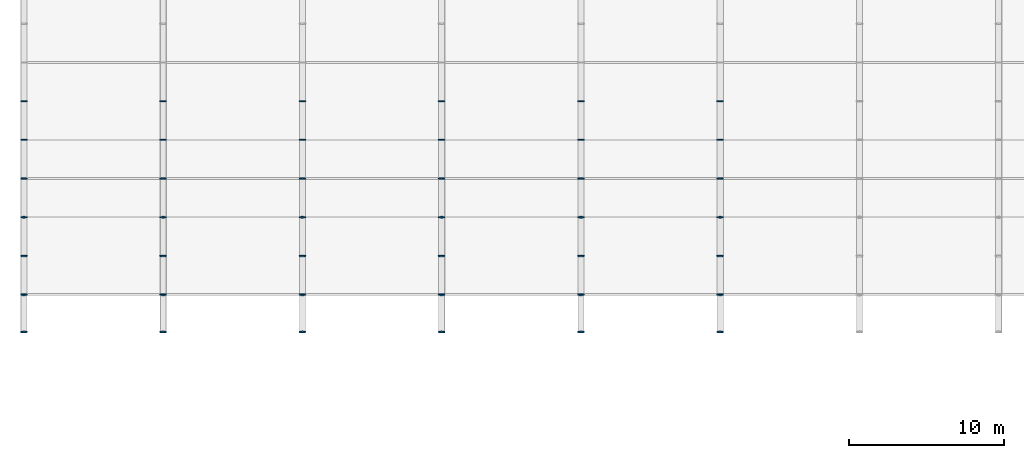
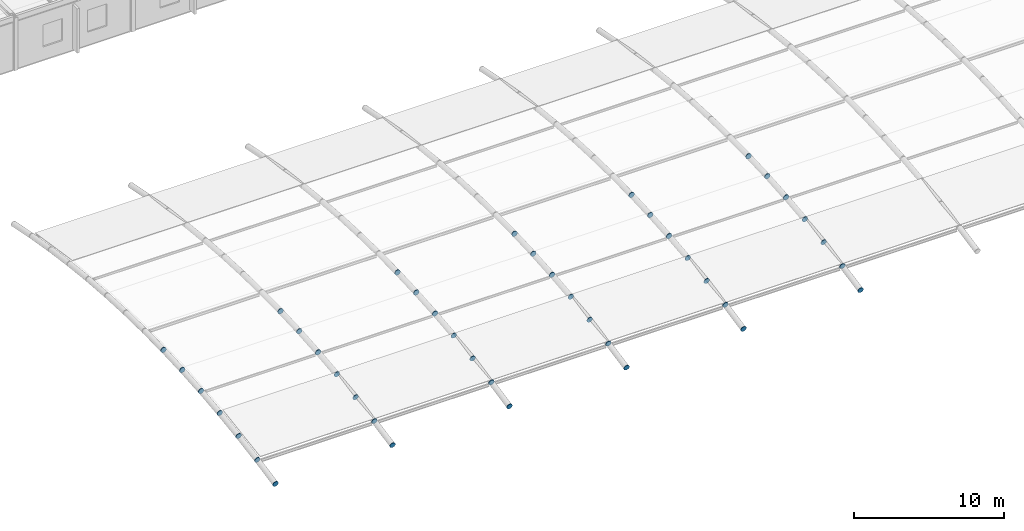
# One storey, part 64 of 105: 78 discrete accessories.
"""IFC4 building model written with IfcOpenShell, lengths in metres."""

from ifc_helpers import new_model, si_unit, direction, frame, origin, origin_2d, place, context, subcontext, project, spatial, circle, extrude, material, element, save


model = new_model("IFC4")

# Units and contexts
model_context = context("Model", 3, precision=1e-05, world=origin(), true_north=direction((0.0, 1.0)))
body_context = subcontext(model_context, "Body", "Model", "MODEL_VIEW")
ifc_project = project(units=[si_unit("LENGTHUNIT", "METRE"), si_unit("AREAUNIT", "SQUARE_METRE"), si_unit("VOLUMEUNIT", "CUBIC_METRE"), si_unit("PLANEANGLEUNIT", "RADIAN"), si_unit("MASSUNIT", "GRAM", prefix="KILO")], contexts=[model_context])

# Site, building, storey
site_placement = place(None, origin())
site = spatial("IfcSite", under=ifc_project, at=site_placement, CompositionType="ELEMENT")
building_placement = place(site_placement, origin())
building = spatial("IfcBuilding", under=site, at=building_placement, Name="Marlcrest Central Station", CompositionType="ELEMENT")
storey_placement = place(building_placement, frame((0.0, 0.0, 15.0)))
storey = spatial("IfcBuildingStorey", under=building, at=storey_placement, Name="L03", CompositionType="ELEMENT", Elevation=15.0)

# Discrete accessories
ifc_material = material(Name="Steel S355", Category="steel")
for number, where, z_axis, x_axis, name in (
    (1, (0.0, 48.5654296875, -0.0859375), (0.0, 0.980359417961, 0.197219196874), (-1.0, 0.0, 0.0), "endcap-mem-AC-01-L03-00083-s"),
    (2, (0.0, 50.9755859375, 0.39892578125), (0.0, 0.980359417961, 0.197219196874), (-1.0, 0.0, 0.0), "endcap-mem-AC-01-L03-00083-e"),
    (3, (0.0, 50.985107421875, 0.4013671875), (0.0, 0.98574109921, 0.168269086076), (-1.0, 0.0, 0.0), "endcap-mem-AC-01-L03-00087-s"),
    (4, (0.0, 53.475341796875, 0.826416015625), (0.0, 0.98574109921, 0.168269086076), (-1.0, 0.0, 0.0), "endcap-mem-AC-01-L03-00087-e"),
    (5, (0.0, 53.485107421875, 0.82861328125), (0.0, 0.990402740232, 0.138211476152), (-1.0, 0.0, 0.0), "endcap-mem-AC-01-L03-00091-s"),
    (6, (0.0, 55.975341796875, 1.176025390625), (0.0, 0.990402740232, 0.138211476152), (-1.0, 0.0, 0.0), "endcap-mem-AC-01-L03-00091-e"),
    (7, (0.0, 55.985107421875, 1.177734375), (0.0, 0.994155341034, 0.107959056565), (-1.0, 0.0, 0.0), "endcap-mem-AC-01-L03-00095-s"),
    (8, (0.0, 58.47509765625, 1.4482421875), (0.0, 0.994155341034, 0.107959056565), (-1.0, 0.0, 0.0), "endcap-mem-AC-01-L03-00095-e"),
    (9, (0.0, 58.485107421875, 1.44970703125), (0.0, 0.996999825732, 0.077403795064), (-1.0, 0.0, 0.0), "endcap-mem-AC-01-L03-00099-s"),
    (10, (0.0, 60.97509765625, 1.64306640625), (0.0, 0.996999825732, 0.077403795064), (-1.0, 0.0, 0.0), "endcap-mem-AC-01-L03-00099-e"),
    (11, (0.0, 60.985107421875, 1.644287109375), (0.0, 0.998921349185, 0.046434234591), (-1.0, 0.0, 0.0), "endcap-mem-AC-01-L03-00103-s"),
    (12, (0.0, 63.47509765625, 1.760009765625), (0.0, 0.998921349185, 0.046434234591), (-1.0, 0.0, 0.0), "endcap-mem-AC-01-L03-00103-e"),
    (13, (0.0, 63.485107421875, 1.760986328125), (0.0, 0.999879472592, 0.01552547228), (-1.0, 0.0, 0.0), "endcap-mem-AC-01-L03-00107-s"),
    (14, (9.0, 48.5654296875, -0.0859375), (0.0, 0.980359417961, 0.197219196874), (-1.0, 0.0, 0.0), "endcap-mem-AC-01-L03-00199-s"),
    (15, (9.0, 50.9755859375, 0.39892578125), (0.0, 0.980359417961, 0.197219196874), (-1.0, 0.0, 0.0), "endcap-mem-AC-01-L03-00199-e"),
    (16, (9.0, 50.985107421875, 0.4013671875), (0.0, 0.98574109921, 0.168269086076), (-1.0, 0.0, 0.0), "endcap-mem-AC-01-L03-00203-s"),
    (17, (9.0, 53.475341796875, 0.826416015625), (0.0, 0.98574109921, 0.168269086076), (-1.0, 0.0, 0.0), "endcap-mem-AC-01-L03-00203-e"),
    (18, (9.0, 53.485107421875, 0.82861328125), (0.0, 0.990402740232, 0.138211476152), (-1.0, 0.0, 0.0), "endcap-mem-AC-01-L03-00207-s"),
    (19, (9.0, 55.975341796875, 1.176025390625), (0.0, 0.990402740232, 0.138211476152), (-1.0, 0.0, 0.0), "endcap-mem-AC-01-L03-00207-e"),
    (20, (9.0, 55.985107421875, 1.177734375), (0.0, 0.994155341034, 0.107959056565), (-1.0, 0.0, 0.0), "endcap-mem-AC-01-L03-00211-s"),
    (21, (9.0, 58.47509765625, 1.4482421875), (0.0, 0.994155341034, 0.107959056565), (-1.0, 0.0, 0.0), "endcap-mem-AC-01-L03-00211-e"),
    (22, (9.0, 58.485107421875, 1.44970703125), (0.0, 0.996999825732, 0.077403795064), (-1.0, 0.0, 0.0), "endcap-mem-AC-01-L03-00215-s"),
    (23, (9.0, 60.97509765625, 1.64306640625), (0.0, 0.996999825732, 0.077403795064), (-1.0, 0.0, 0.0), "endcap-mem-AC-01-L03-00215-e"),
    (24, (9.0, 60.985107421875, 1.644287109375), (0.0, 0.998921349185, 0.046434234591), (-1.0, 0.0, 0.0), "endcap-mem-AC-01-L03-00219-s"),
    (25, (9.0, 63.47509765625, 1.760009765625), (0.0, 0.998921349185, 0.046434234591), (-1.0, 0.0, 0.0), "endcap-mem-AC-01-L03-00219-e"),
    (26, (9.0, 63.485107421875, 1.760986328125), (0.0, 0.999879472592, 0.01552547228), (-1.0, 0.0, 0.0), "endcap-mem-AC-01-L03-00223-s"),
    (27, (18.0, 48.5654296875, -0.0859375), (0.0, 0.980359417961, 0.197219196874), (-1.0, 0.0, 0.0), "endcap-mem-AC-01-L03-00315-s"),
    (28, (18.0, 50.9755859375, 0.39892578125), (0.0, 0.980359417961, 0.197219196874), (-1.0, 0.0, 0.0), "endcap-mem-AC-01-L03-00315-e"),
    (29, (18.0, 50.985107421875, 0.4013671875), (0.0, 0.98574109921, 0.168269086076), (-1.0, 0.0, 0.0), "endcap-mem-AC-01-L03-00319-s"),
    (30, (18.0, 53.475341796875, 0.826416015625), (0.0, 0.98574109921, 0.168269086076), (-1.0, 0.0, 0.0), "endcap-mem-AC-01-L03-00319-e"),
    (31, (18.0, 53.485107421875, 0.82861328125), (0.0, 0.990402740232, 0.138211476152), (-1.0, 0.0, 0.0), "endcap-mem-AC-01-L03-00323-s"),
    (32, (18.0, 55.975341796875, 1.176025390625), (0.0, 0.990402740232, 0.138211476152), (-1.0, 0.0, 0.0), "endcap-mem-AC-01-L03-00323-e"),
    (33, (18.0, 55.985107421875, 1.177734375), (0.0, 0.994155341034, 0.107959056565), (-1.0, 0.0, 0.0), "endcap-mem-AC-01-L03-00327-s"),
    (34, (18.0, 58.47509765625, 1.4482421875), (0.0, 0.994155341034, 0.107959056565), (-1.0, 0.0, 0.0), "endcap-mem-AC-01-L03-00327-e"),
    (35, (18.0, 58.485107421875, 1.44970703125), (0.0, 0.996999825732, 0.077403795064), (-1.0, 0.0, 0.0), "endcap-mem-AC-01-L03-00331-s"),
    (36, (18.0, 60.97509765625, 1.64306640625), (0.0, 0.996999825732, 0.077403795064), (-1.0, 0.0, 0.0), "endcap-mem-AC-01-L03-00331-e"),
    (37, (18.0, 60.985107421875, 1.644287109375), (0.0, 0.998921349185, 0.046434234591), (-1.0, 0.0, 0.0), "endcap-mem-AC-01-L03-00335-s"),
    (38, (18.0, 63.47509765625, 1.760009765625), (0.0, 0.998921349185, 0.046434234591), (-1.0, 0.0, 0.0), "endcap-mem-AC-01-L03-00335-e"),
    (39, (18.0, 63.485107421875, 1.760986328125), (0.0, 0.999879472592, 0.01552547228), (-1.0, 0.0, 0.0), "endcap-mem-AC-01-L03-00339-s"),
    (40, (27.0, 48.5654296875, -0.0859375), (0.0, 0.980359417961, 0.197219196874), (-1.0, 0.0, 0.0), "endcap-mem-AC-01-L03-00431-s"),
    (41, (27.0, 50.9755859375, 0.39892578125), (0.0, 0.980359417961, 0.197219196874), (-1.0, 0.0, 0.0), "endcap-mem-AC-01-L03-00431-e"),
    (42, (27.0, 50.985107421875, 0.4013671875), (0.0, 0.98574109921, 0.168269086076), (-1.0, 0.0, 0.0), "endcap-mem-AC-01-L03-00435-s"),
    (43, (27.0, 53.475341796875, 0.826416015625), (0.0, 0.98574109921, 0.168269086076), (-1.0, 0.0, 0.0), "endcap-mem-AC-01-L03-00435-e"),
    (44, (27.0, 53.485107421875, 0.82861328125), (0.0, 0.990402740232, 0.138211476152), (-1.0, 0.0, 0.0), "endcap-mem-AC-01-L03-00439-s"),
    (45, (27.0, 55.975341796875, 1.176025390625), (0.0, 0.990402740232, 0.138211476152), (-1.0, 0.0, 0.0), "endcap-mem-AC-01-L03-00439-e"),
    (46, (27.0, 55.985107421875, 1.177734375), (0.0, 0.994155341034, 0.107959056565), (-1.0, 0.0, 0.0), "endcap-mem-AC-01-L03-00443-s"),
    (47, (27.0, 58.47509765625, 1.4482421875), (0.0, 0.994155341034, 0.107959056565), (-1.0, 0.0, 0.0), "endcap-mem-AC-01-L03-00443-e"),
    (48, (27.0, 58.485107421875, 1.44970703125), (0.0, 0.996999825732, 0.077403795064), (-1.0, 0.0, 0.0), "endcap-mem-AC-01-L03-00447-s"),
    (49, (27.0, 60.97509765625, 1.64306640625), (0.0, 0.996999825732, 0.077403795064), (-1.0, 0.0, 0.0), "endcap-mem-AC-01-L03-00447-e"),
    (50, (27.0, 60.985107421875, 1.644287109375), (0.0, 0.998921349185, 0.046434234591), (-1.0, 0.0, 0.0), "endcap-mem-AC-01-L03-00451-s"),
    (51, (27.0, 63.47509765625, 1.760009765625), (0.0, 0.998921349185, 0.046434234591), (-1.0, 0.0, 0.0), "endcap-mem-AC-01-L03-00451-e"),
    (52, (27.0, 63.485107421875, 1.760986328125), (0.0, 0.999879472592, 0.01552547228), (-1.0, 0.0, 0.0), "endcap-mem-AC-01-L03-00455-s"),
    (53, (36.0, 48.5654296875, -0.0859375), (0.0, 0.980359417961, 0.197219196874), (-1.0, 0.0, 0.0), "endcap-mem-AC-01-L03-00547-s"),
    (54, (36.0, 50.9755859375, 0.39892578125), (0.0, 0.980359417961, 0.197219196874), (-1.0, 0.0, 0.0), "endcap-mem-AC-01-L03-00547-e"),
    (55, (36.0, 50.985107421875, 0.4013671875), (0.0, 0.98574109921, 0.168269086076), (-1.0, 0.0, 0.0), "endcap-mem-AC-01-L03-00551-s"),
    (56, (36.0, 53.475341796875, 0.826416015625), (0.0, 0.98574109921, 0.168269086076), (-1.0, 0.0, 0.0), "endcap-mem-AC-01-L03-00551-e"),
    (57, (36.0, 53.485107421875, 0.82861328125), (0.0, 0.990402740232, 0.138211476152), (-1.0, 0.0, 0.0), "endcap-mem-AC-01-L03-00555-s"),
    (58, (36.0, 55.975341796875, 1.176025390625), (0.0, 0.990402740232, 0.138211476152), (-1.0, 0.0, 0.0), "endcap-mem-AC-01-L03-00555-e"),
    (59, (36.0, 55.985107421875, 1.177734375), (0.0, 0.994155341034, 0.107959056565), (-1.0, 0.0, 0.0), "endcap-mem-AC-01-L03-00559-s"),
    (60, (36.0, 58.47509765625, 1.4482421875), (0.0, 0.994155341034, 0.107959056565), (-1.0, 0.0, 0.0), "endcap-mem-AC-01-L03-00559-e"),
    (61, (36.0, 58.485107421875, 1.44970703125), (0.0, 0.996999825732, 0.077403795064), (-1.0, 0.0, 0.0), "endcap-mem-AC-01-L03-00563-s"),
    (62, (36.0, 60.97509765625, 1.64306640625), (0.0, 0.996999825732, 0.077403795064), (-1.0, 0.0, 0.0), "endcap-mem-AC-01-L03-00563-e"),
    (63, (36.0, 60.985107421875, 1.644287109375), (0.0, 0.998921349185, 0.046434234591), (-1.0, 0.0, 0.0), "endcap-mem-AC-01-L03-00567-s"),
    (64, (36.0, 63.47509765625, 1.760009765625), (0.0, 0.998921349185, 0.046434234591), (-1.0, 0.0, 0.0), "endcap-mem-AC-01-L03-00567-e"),
    (65, (36.0, 63.485107421875, 1.760986328125), (0.0, 0.999879472592, 0.01552547228), (-1.0, 0.0, 0.0), "endcap-mem-AC-01-L03-00571-s"),
    (66, (45.0, 48.5654296875, -0.0859375), (0.0, 0.980359417961, 0.197219196874), (-1.0, 0.0, 0.0), "endcap-mem-AC-01-L03-00663-s"),
    (67, (45.0, 50.9755859375, 0.39892578125), (0.0, 0.980359417961, 0.197219196874), (-1.0, 0.0, 0.0), "endcap-mem-AC-01-L03-00663-e"),
    (68, (45.0, 50.985107421875, 0.4013671875), (0.0, 0.98574109921, 0.168269086076), (-1.0, 0.0, 0.0), "endcap-mem-AC-01-L03-00667-s"),
    (69, (45.0, 53.475341796875, 0.826416015625), (0.0, 0.98574109921, 0.168269086076), (-1.0, 0.0, 0.0), "endcap-mem-AC-01-L03-00667-e"),
    (70, (45.0, 53.485107421875, 0.82861328125), (0.0, 0.990402740232, 0.138211476152), (-1.0, 0.0, 0.0), "endcap-mem-AC-01-L03-00671-s"),
    (71, (45.0, 55.975341796875, 1.176025390625), (0.0, 0.990402740232, 0.138211476152), (-1.0, 0.0, 0.0), "endcap-mem-AC-01-L03-00671-e"),
    (72, (45.0, 55.985107421875, 1.177734375), (0.0, 0.994155341034, 0.107959056565), (-1.0, 0.0, 0.0), "endcap-mem-AC-01-L03-00675-s"),
    (73, (45.0, 58.47509765625, 1.4482421875), (0.0, 0.994155341034, 0.107959056565), (-1.0, 0.0, 0.0), "endcap-mem-AC-01-L03-00675-e"),
    (74, (45.0, 58.485107421875, 1.44970703125), (0.0, 0.996999825732, 0.077403795064), (-1.0, 0.0, 0.0), "endcap-mem-AC-01-L03-00679-s"),
    (75, (45.0, 60.97509765625, 1.64306640625), (0.0, 0.996999825732, 0.077403795064), (-1.0, 0.0, 0.0), "endcap-mem-AC-01-L03-00679-e"),
    (76, (45.0, 60.985107421875, 1.644287109375), (0.0, 0.998921349185, 0.046434234591), (-1.0, 0.0, 0.0), "endcap-mem-AC-01-L03-00683-s"),
    (77, (45.0, 63.47509765625, 1.760009765625), (0.0, 0.998921349185, 0.046434234591), (-1.0, 0.0, 0.0), "endcap-mem-AC-01-L03-00683-e"),
    (78, (45.0, 63.485107421875, 1.760986328125), (0.0, 0.999879472592, 0.01552547228), (-1.0, 0.0, 0.0), "endcap-mem-AC-01-L03-00687-s"),
):
    element("IfcDiscreteAccessory", number, at=place(storey_placement, frame(where, z_axis=z_axis, x_axis=x_axis)), inside=storey, material=ifc_material, Name=name, ObjectType="END_CAP_PLATE", PredefinedType="BRACKET", context=body_context, shape_type="SweptSolid", body=[
        extrude(circle(Radius=0.211181640625, at=origin_2d()), origin(), (0.0, 0.0, 1.0), 0.0400390625),
    ])

save(model, "model.ifc")
